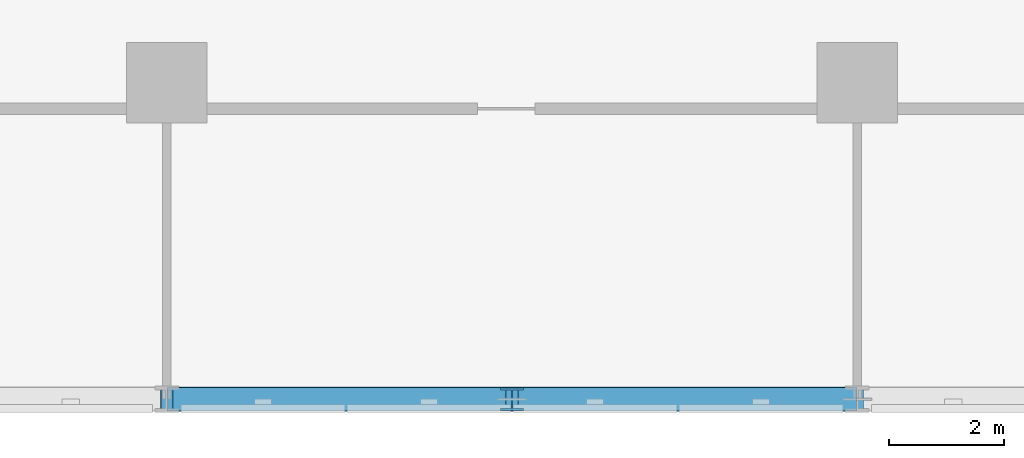
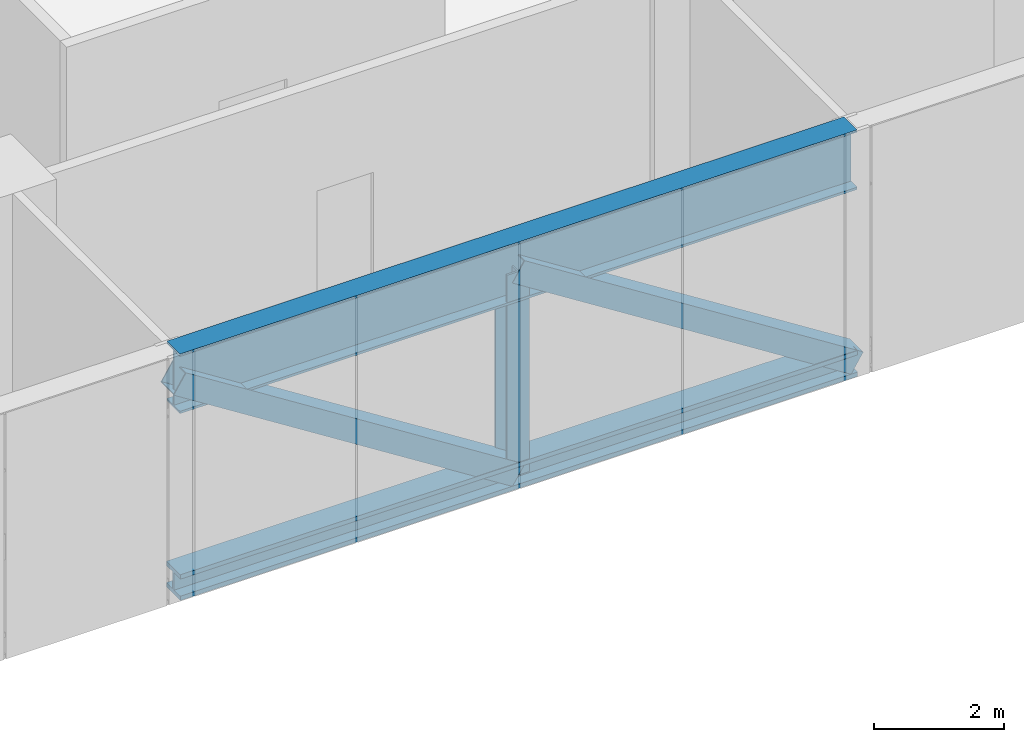
# One storey, part 4 of 26: 5 members.
"""IFC4 building model written with IfcOpenShell, lengths in metres."""

from ifc_helpers import new_model, si_unit, direction, frame, origin, origin_2d, place, context, subcontext, project, spatial, hollow_rectangle, i_section, extrude, material, material_profile, profile_set, type_object, element, save


model = new_model("IFC4")

# Units and contexts
model_context = context("Model", 3, precision=1e-05, world=origin(), true_north=direction((0.0, 1.0)))
body_context = subcontext(model_context, "Body", "Model", "MODEL_VIEW")
ifc_project = project(units=[si_unit("LENGTHUNIT", "METRE"), si_unit("AREAUNIT", "SQUARE_METRE"), si_unit("VOLUMEUNIT", "CUBIC_METRE"), si_unit("PLANEANGLEUNIT", "RADIAN"), si_unit("MASSUNIT", "GRAM", prefix="KILO")], contexts=[model_context])

# Site, building, storey
site_placement = place(None, origin())
site = spatial("IfcSite", under=ifc_project, at=site_placement, CompositionType="ELEMENT")
building_placement = place(site_placement, origin())
building = spatial("IfcBuilding", under=site, at=building_placement, Name="Mahtab Terrace Research Tower", CompositionType="ELEMENT")
storey_placement = place(building_placement, frame((0.0, 0.0, 117.60009765625)))
storey = spatial("IfcBuildingStorey", under=building, at=storey_placement, Name="L27", CompositionType="ELEMENT", Elevation=117.60009765625)

# Members
ifc_material_1 = material(Name="Steel ASTM A500 Gr C", Category="steel")
ifc_material_profile_1 = material_profile(ifc_material_1, hollow_rectangle(XDim=0.406494140625, YDim=0.406494140625, WallThickness=0.015869140625, at=origin_2d()), Name="HSS16X16X5/8")
ifc_profile_set_1 = profile_set([ifc_material_profile_1], Name="Steel ASTM A500 Gr C")
member_type_1 = type_object("IfcMemberType", Name="HSS 16x16x5/8 brace TD161658", PredefinedType="BRACE", material=ifc_profile_set_1)
for number, where, z_axis, x_axis, name in (
    (1, (12.0, -17.0, -0.308837890625), (-0.844178766056, 0.0, 0.536061760379), (0.0, -1.0, 0.0), "Transfer truss T3 diagonal 048"),
    (2, (18.0, -17.0, -0.308837890625), (-0.844178766056, 0.0, 0.536061760379), (0.0, -1.0, 0.0), "Transfer truss T3 diagonal 052"),
):
    element("IfcMember", number, at=place(storey_placement, frame(where, z_axis=z_axis, x_axis=x_axis)), inside=storey, type_object=member_type_1, Name=name, PredefinedType="BRACE", context=body_context, shape_type="SweptSolid", body=[
        extrude(hollow_rectangle(XDim=0.406494140625, YDim=0.406494140625, WallThickness=0.015869140625, at=origin_2d()), origin(), (0.0, 0.0, 1.0), 7.107421875),
    ])
ifc_material_2 = material(Name="Steel ASTM A992 Gr 50", Category="steel")
ifc_material_profile_2 = material_profile(ifc_material_2, i_section(OverallWidth=0.398681640625, OverallDepth=0.393798828125, WebThickness=0.022705078125, FlangeThickness=0.03662109375, at=origin_2d()), Name="W14X193")
ifc_profile_set_2 = profile_set([ifc_material_profile_2], Name="Steel ASTM A992 Gr 50")
member_type_2 = type_object("IfcMemberType", Name="W14x193 post TP14193", PredefinedType="POST", material=ifc_profile_set_2)
member_1_placement = place(storey_placement, frame((12.0, -17.0, -0.308837890625), z_axis=(0.0, 0.0, 1.0), x_axis=(1.0, 0.0, 0.0)))
element("IfcMember", 3, at=member_1_placement, inside=storey, type_object=member_type_2, Name="Transfer truss T3 post 050", PredefinedType="POST", context=body_context, shape_type="SweptSolid", body=[
    extrude(i_section(OverallWidth=0.398681640625, OverallDepth=0.393798828125, WebThickness=0.022705078125, FlangeThickness=0.03662109375, at=origin_2d()), origin(), (0.0, 0.0, 1.0), 3.81005859375),
])
ifc_material_profile_3 = material_profile(ifc_material_2, i_section(OverallWidth=0.4267578125, OverallDepth=0.482666015625, WebThickness=0.05126953125, FlangeThickness=0.08154296875, at=origin_2d()), Name="W14X455")
ifc_profile_set_3 = profile_set([ifc_material_profile_3], Name="Steel ASTM A992 Gr 50")
member_type_3 = type_object("IfcMemberType", Name="W14x455 chord TC14455", PredefinedType="CHORD", material=ifc_profile_set_3)
member_2_placement = place(storey_placement, frame((6.0, -17.0, -0.308837890625), z_axis=(1.0, 0.0, 0.0), x_axis=(0.0, 1.0, 0.0)))
element("IfcMember", 4, at=member_2_placement, inside=storey, type_object=member_type_3, Name="Transfer truss T3 bottom chord 017", PredefinedType="CHORD", context=body_context, shape_type="SweptSolid", body=[
    extrude(i_section(OverallWidth=0.4267578125, OverallDepth=0.482666015625, WebThickness=0.05126953125, FlangeThickness=0.08154296875, at=origin_2d()), origin(), (0.0, 0.0, 1.0), 12.0),
])
ifc_material_profile_4 = material_profile(ifc_material_2, i_section(OverallWidth=0.40380859375, OverallDepth=1.11767578125, WebThickness=0.026123046875, FlangeThickness=0.044921875, at=origin_2d()), Name="W44X335")
ifc_profile_set_4 = profile_set([ifc_material_profile_4], Name="Steel ASTM A992 Gr 50")
member_type_4 = type_object("IfcMemberType", Name="W44x335 chord TT44335", PredefinedType="CHORD", material=ifc_profile_set_4)
member_3_placement = place(storey_placement, frame((6.0, -17.0, 3.501220703125), z_axis=(1.0, 0.0, 0.0), x_axis=(0.0, 1.0, 0.0)))
element("IfcMember", 5, at=member_3_placement, inside=storey, type_object=member_type_4, Name="Transfer truss T3 top chord 017", PredefinedType="CHORD", context=body_context, shape_type="SweptSolid", body=[
    extrude(i_section(OverallWidth=0.40380859375, OverallDepth=1.11767578125, WebThickness=0.026123046875, FlangeThickness=0.044921875, at=origin_2d()), origin(), (0.0, 0.0, 1.0), 12.0),
])

save(model, "model.ifc")
